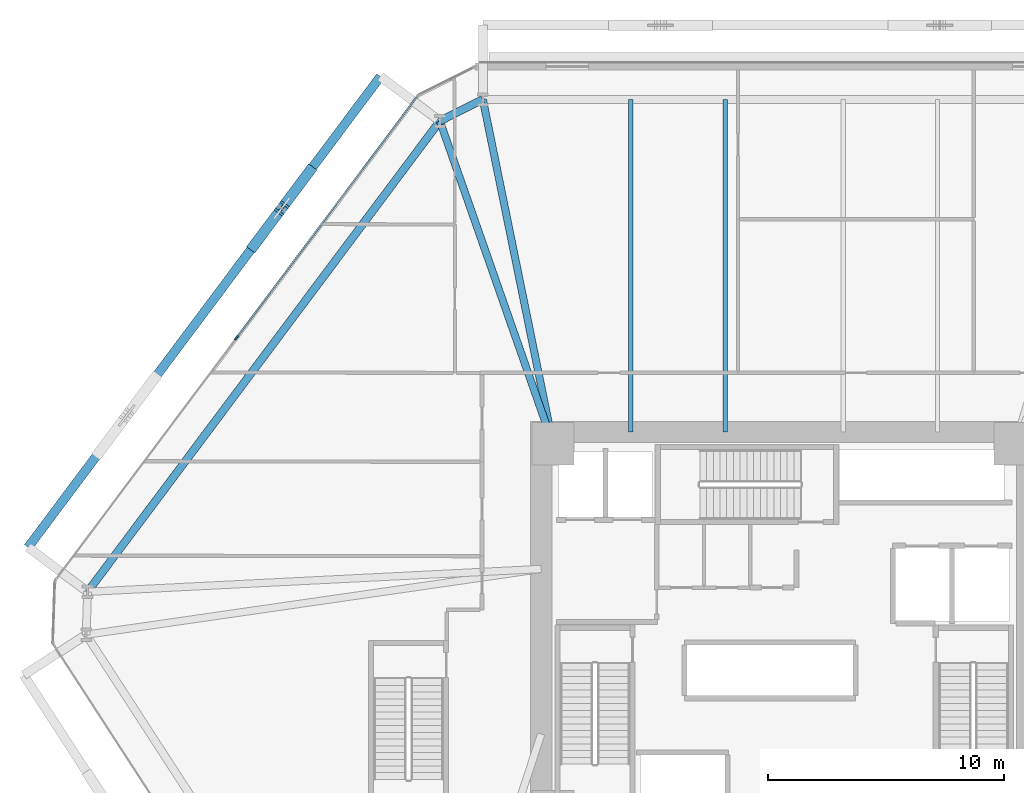
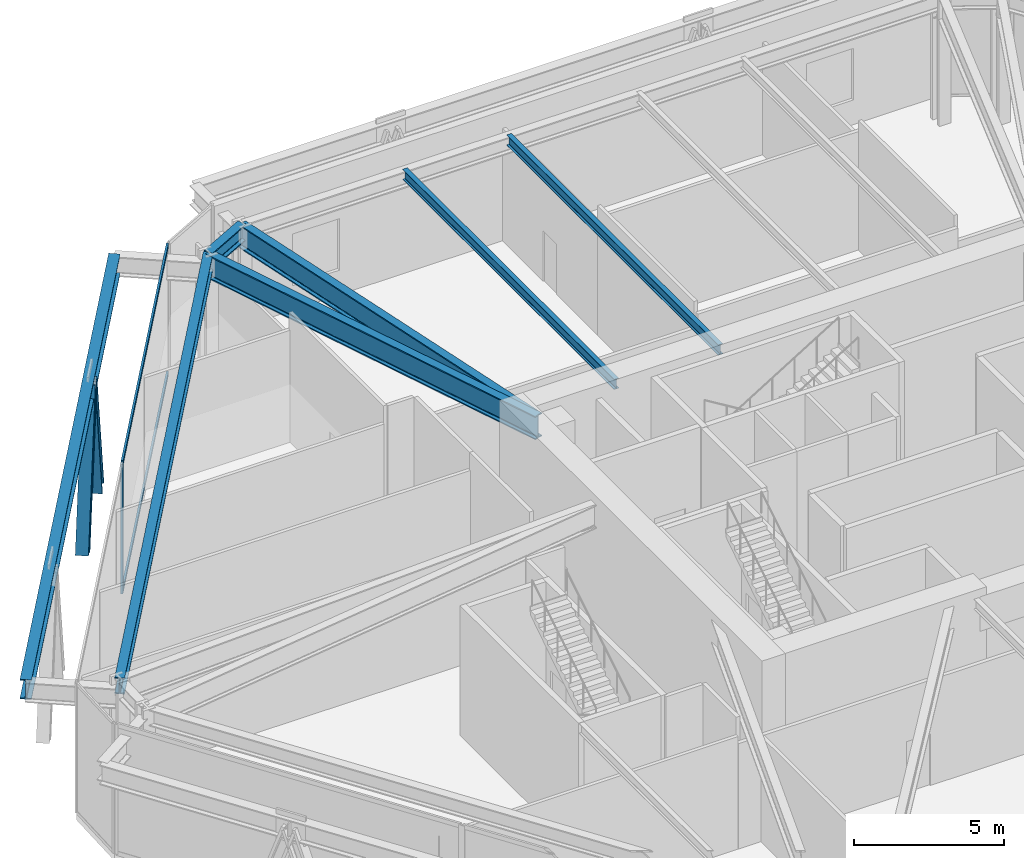
# One storey, part 8 of 23: 7 beams, 5 members, 1 element without a shape of its own.
"""IFC4 building model written with IfcOpenShell, lengths in metres."""

from ifc_helpers import new_model, si_unit, direction, frame, origin, origin_2d, place, context, subcontext, project, spatial, rectangle, i_section, extrude, source, transform, mapped, material, layer, layer_set, material_profile, profile_set, type_object, type_shapes, element, aggregate, save


model = new_model("IFC4")

# Units and contexts
model_context = context("Model", 3, precision=1e-05, world=origin(), true_north=direction((0.0, 1.0)))
body_context = subcontext(model_context, "Body", "Model", "MODEL_VIEW")
ifc_project = project(units=[si_unit("LENGTHUNIT", "METRE"), si_unit("AREAUNIT", "SQUARE_METRE"), si_unit("VOLUMEUNIT", "CUBIC_METRE"), si_unit("PLANEANGLEUNIT", "RADIAN"), si_unit("MASSUNIT", "GRAM", prefix="KILO")], contexts=[model_context])

# Site, building, storey
site_placement = place(None, origin())
site = spatial("IfcSite", under=ifc_project, at=site_placement, CompositionType="ELEMENT")
building_placement = place(site_placement, origin())
building = spatial("IfcBuilding", under=site, at=building_placement, Name="Durnholm Broadcast Tower", CompositionType="ELEMENT")
storey_placement = place(building_placement, frame((0.0, 0.0, 21.199951171875)))
storey = spatial("IfcBuildingStorey", under=building, at=storey_placement, Name="L04", CompositionType="ELEMENT", Elevation=21.199951171875)

# Beams
ifc_material_1 = material(Name="Steel ASTM A992 Grade 50", Category="steel")
ifc_material_profile_1 = material_profile(ifc_material_1, i_section(OverallWidth=0.3330078125, OverallDepth=0.660888671875, WebThickness=0.0244140625, FlangeThickness=0.0439453125, FilletRadius=0.02783203125, at=origin_2d()), Name="W24X229")
ifc_profile_set_1 = profile_set([ifc_material_profile_1], Name="Steel ASTM A992 Grade 50")
beam_type_1 = type_object("IfcBeamType", Name="STL-SP-W24X229", PredefinedType="SPANDREL", material=ifc_profile_set_1)
shared_shape_1 = source(origin(), body_context, "Body", "SweptSolid", [
    extrude(i_section(OverallWidth=0.3330078125, OverallDepth=0.660888671875, WebThickness=0.0244140625, FlangeThickness=0.0439453125, FilletRadius=0.02783203125, at=origin_2d()), origin(), (0.0, 0.0, 1.0), 24.926513671875),
])
beam_1_placement = place(storey_placement, frame((-29.529296875, 1.530517578125, 4.9345703125), z_axis=(0.599153427318, 0.800634230178, 0.0), x_axis=(-0.800634230178, 0.599153427318, 0.0)))
element("IfcBeam", 1, at=beam_1_placement, inside=storey, type_object=beam_type_1, Name="L04 perimeter spandrel girder 03", PredefinedType="SPANDREL", context=body_context, shape_type="MappedRepresentation", body=[
    mapped(shared_shape_1, transform((0.0, 0.0, 0.0), x_axis=(1.0, 0.0, 0.0), y_axis=(0.0, 1.0, 0.0), z_axis=(0.0, 0.0, 1.0), scale=1.0)),
])
shared_shape_2 = source(origin(), body_context, "Body", "SweptSolid", [
    extrude(i_section(OverallWidth=0.3330078125, OverallDepth=0.660888671875, WebThickness=0.0244140625, FlangeThickness=0.0439453125, FilletRadius=0.02783203125, at=origin_2d()), origin(), (0.0, 0.0, 1.0), 2.0380859375),
])
type_shapes(beam_type_1, [shared_shape_1, shared_shape_2])
beam_2_placement = place(storey_placement, frame((-14.594482421875, 21.487548828125, 4.9345703125), z_axis=(0.894211470078, 0.447644777452, 0.0), x_axis=(-0.447644777452, 0.894211470078, 0.0)))
element("IfcBeam", 2, at=beam_2_placement, inside=storey, type_object=beam_type_1, Name="L04 perimeter spandrel girder 04", PredefinedType="SPANDREL", context=body_context, shape_type="MappedRepresentation", body=[
    mapped(shared_shape_2, transform((0.0, 0.0, 0.0), x_axis=(1.0, 0.0, 0.0), y_axis=(0.0, 1.0, 0.0), z_axis=(0.0, 0.0, 1.0), scale=1.0)),
])
ifc_material_profile_2 = material_profile(ifc_material_1, i_section(OverallWidth=0.180908203125, OverallDepth=0.417236328125, WebThickness=0.010986328125, FlangeThickness=0.018310546875, FilletRadius=0.01904296875, at=origin_2d()), Name="W16X57")
ifc_profile_set_2 = profile_set([ifc_material_profile_2], Name="Steel ASTM A992 Grade 50")
beam_type_2 = type_object("IfcBeamType", Name="STL-BJ-W16X57", PredefinedType="JOIST", material=ifc_profile_set_2)
shared_shape_3 = source(origin(), body_context, "Body", "SweptSolid", [
    extrude(i_section(OverallWidth=0.180908203125, OverallDepth=0.417236328125, WebThickness=0.010986328125, FlangeThickness=0.018310546875, FilletRadius=0.01904296875, at=origin_2d()), origin(), (0.0, 0.0, 1.0), 14.099853515625),
])
type_shapes(beam_type_2, [shared_shape_3])
for number, where, z_axis, x_axis, name in (
    (3, (-6.5, 8.300048828125, 5.056396484375), (0.0, 1.0, 0.0), (-1.0, 0.0, 0.0), "L04 secondary floor joist 4.2"),
    (4, (-2.5, 8.300048828125, 5.056396484375), (0.0, 1.0, 0.0), (-1.0, 0.0, 0.0), "L04 secondary floor joist 5.2"),
):
    element("IfcBeam", number, at=place(storey_placement, frame(where, z_axis=z_axis, x_axis=x_axis)), inside=storey, type_object=beam_type_2, Name=name, PredefinedType="JOIST", context=body_context, shape_type="MappedRepresentation", body=[
        mapped(shared_shape_3, transform((0.0, 0.0, 0.0), x_axis=(1.0, 0.0, 0.0), y_axis=(0.0, 1.0, 0.0), z_axis=(0.0, 0.0, 1.0), scale=1.0)),
    ])
ifc_material_profile_3 = material_profile(ifc_material_1, i_section(OverallWidth=0.385009765625, OverallDepth=0.802978515625, WebThickness=0.023681640625, FlangeThickness=0.0419921875, FilletRadius=0.032958984375, at=origin_2d()), Name="W30X261")
ifc_profile_set_3 = profile_set([ifc_material_profile_3], Name="Steel ASTM A992 Grade 50")
beam_type_3 = type_object("IfcBeamType", Name="BM-EXO-TIE", PredefinedType="USERDEFINED", material=ifc_profile_set_3)
shared_shape_4 = source(origin(), body_context, "Body", "SweptSolid", [
    extrude(i_section(OverallWidth=0.385009765625, OverallDepth=0.802978515625, WebThickness=0.023681640625, FlangeThickness=0.0419921875, FilletRadius=0.032958984375, at=origin_2d()), origin(), (0.0, 0.0, 1.0), 24.9267578125),
])
type_shapes(beam_type_3, [shared_shape_4])
beam_3_placement = place(storey_placement, frame((-17.116455078125, 23.375, 4.528564453125), z_axis=(-0.599159705628, -0.800629531776, 0.0), x_axis=(0.800629531776, -0.599159705628, 0.0)))
element("IfcBeam", 5, at=beam_3_placement, inside=storey, type_object=beam_type_3, Name="L04 exoskeleton collector spandrel F5", PredefinedType="SPANDREL", context=body_context, shape_type="MappedRepresentation", body=[
    mapped(shared_shape_4, transform((0.0, 0.0, 0.0), x_axis=(1.0, 0.0, 0.0), y_axis=(0.0, 1.0, 0.0), z_axis=(0.0, 0.0, 1.0), scale=1.0)),
])
ifc_material_profile_4 = material_profile(ifc_material_1, i_section(OverallWidth=0.310302734375, OverallDepth=0.950439453125, WebThickness=0.0244140625, FlangeThickness=0.0439453125, FilletRadius=0.0380859375, at=origin_2d()), Name="W36X256")
ifc_profile_set_4 = profile_set([ifc_material_profile_4], Name="Steel ASTM A992 Grade 50")
beam_type_4 = type_object("IfcBeamType", Name="STL-GR-W36X256", PredefinedType="USERDEFINED", material=ifc_profile_set_4)
shared_shape_5 = source(origin(), body_context, "Body", "SweptSolid", [
    extrude(i_section(OverallWidth=0.310302734375, OverallDepth=0.950439453125, WebThickness=0.0244140625, FlangeThickness=0.0439453125, FilletRadius=0.0380859375, at=origin_2d()), origin(), (0.0, 0.0, 1.0), 14.5029296875),
])
beam_4_placement = place(storey_placement, frame((-9.800048828125, 7.800048828125, 4.789794921875), z_axis=(-0.330584364716, 0.943776444824, 0.0), x_axis=(-0.943776444824, -0.330584364716, 0.0)))
element("IfcBeam", 6, at=beam_4_placement, inside=storey, type_object=beam_type_4, Name="L04 radial primary floor girder 04", ObjectType="GIRDER", PredefinedType="USERDEFINED", context=body_context, shape_type="MappedRepresentation", body=[
    mapped(shared_shape_5, transform((0.0, 0.0, 0.0), x_axis=(1.0, 0.0, 0.0), y_axis=(0.0, 1.0, 0.0), z_axis=(0.0, 0.0, 1.0), scale=1.0)),
])
shared_shape_6 = source(origin(), body_context, "Body", "SweptSolid", [
    extrude(i_section(OverallWidth=0.310302734375, OverallDepth=0.950439453125, WebThickness=0.0244140625, FlangeThickness=0.0439453125, FilletRadius=0.0380859375, at=origin_2d()), origin(), (0.0, 0.0, 1.0), 14.899169921875),
])
type_shapes(beam_type_4, [shared_shape_5, shared_shape_6])
beam_5_placement = place(storey_placement, frame((-9.800048828125, 7.800048828125, 4.789794921875), z_axis=(-0.19946783416, 0.979904374485, 0.0), x_axis=(-0.979904374485, -0.19946783416, 0.0)))
element("IfcBeam", 7, at=beam_5_placement, inside=storey, type_object=beam_type_4, Name="L04 radial primary floor girder 05", ObjectType="GIRDER", PredefinedType="USERDEFINED", context=body_context, shape_type="MappedRepresentation", body=[
    mapped(shared_shape_6, transform((0.0, 0.0, 0.0), x_axis=(1.0, 0.0, 0.0), y_axis=(0.0, 1.0, 0.0), z_axis=(0.0, 0.0, 1.0), scale=1.0)),
])

# Members
ifc_material_2 = material(Name="Steel ASTM A913 Grade 65", Category="steel")
ifc_material_profile_5 = material_profile(ifc_material_2, i_section(OverallWidth=0.44189453125, OverallDepth=0.531494140625, WebThickness=0.06591796875, FlangeThickness=0.105712890625, FilletRadius=0.030517578125, at=origin_2d()), Name="W14X605")
ifc_profile_set_5 = profile_set([ifc_material_profile_5], Name="Steel ASTM A913 Grade 65")
member_type_1 = type_object("IfcMemberType", Name="STL-DG-W14X605", PredefinedType="BRACE", material=ifc_profile_set_5)
shared_shape_7 = source(origin(), body_context, "Body", "SweptSolid", [
    extrude(i_section(OverallWidth=0.44189453125, OverallDepth=0.531494140625, WebThickness=0.06591796875, FlangeThickness=0.105712890625, FilletRadius=0.030517578125, at=origin_2d()), origin(), (0.0, 0.0, 1.0), 5.927978515625),
])
type_shapes(member_type_1, [shared_shape_7])
for number, where, z_axis, x_axis, name in (
    (8, (-20.13330078125, 19.343505859375, -1.071533203125), (-0.196493091775, -0.262553649144, 0.944698918284), (0.800617464095, -0.599175830776, 0.0), "L04 stand-off diagrid brace F5.D1.1"),
    (9, (-22.463134765625, 16.23046875, -1.071533203125), (0.196530560798, 0.262589869163, 0.94468105691), (-0.800602308277, 0.599196081414, 0.0), "L04 stand-off diagrid brace F5.D1.2"),
):
    element("IfcMember", number, at=place(storey_placement, frame(where, z_axis=z_axis, x_axis=x_axis)), inside=storey, type_object=member_type_1, Name=name, PredefinedType="BRACE", context=body_context, shape_type="MappedRepresentation", body=[
        mapped(shared_shape_7, transform((0.0, 0.0, 0.0), x_axis=(1.0, 0.0, 0.0), y_axis=(0.0, 1.0, 0.0), z_axis=(0.0, 0.0, 1.0), scale=1.0)),
    ])

# Curtain wall, members
ifc_material_3 = material(Name="Aluminium and Solar Control IGU", Category="aluminium")
ifc_layer = layer(ifc_material_3, 0.219970703125)
ifc_layer_set = layer_set([ifc_layer], Name="Aluminium and Solar Control IGU")
curtain_wall_type = type_object("IfcCurtainWallType", Name="CW-SYS-2", PredefinedType="NOTDEFINED", material=ifc_layer_set)
curtain_wall_placement = place(storey_placement, origin())
curtain_wall = element("IfcCurtainWall", 10, at=curtain_wall_placement, inside=storey, type_object=curtain_wall_type, Name="L04 curtain wall CW-STUDIO CW-L04-F02", PredefinedType="NOTDEFINED")
ifc_material_4 = material(Name="Aluminium 6063-T6", Category="aluminium")
ifc_material_profile_6 = material_profile(ifc_material_4, rectangle(XDim=0.074951171875, YDim=0.179931640625, at=origin_2d()), Name="CWT75X180")
ifc_profile_set_6 = profile_set([ifc_material_profile_6], Name="Aluminium 6063-T6")
member_type_2 = type_object("IfcMemberType", Name="CW-SYS-2-TRN", PredefinedType="USERDEFINED", material=ifc_profile_set_6)
shared_shape_8 = source(origin(), body_context, "Body", "SweptSolid", [
    extrude(rectangle(XDim=0.074951171875, YDim=0.179931640625, at=origin_2d()), origin(), (0.0, 0.0, 1.0), 12.736328125),
])
type_shapes(member_type_2, [shared_shape_8])
member_1_placement = place(storey_placement, frame((-23.193115234375, 12.334228515625, 0.03759765625), z_axis=(0.59916237373, 0.800627535066, 0.0), x_axis=(-0.800627535066, 0.59916237373, 0.0)))
member_1 = element("IfcMember", 11, at=member_1_placement, type_object=member_type_2, Name="CW-STUDIO transom 2.1", ObjectType="TRANSOM", PredefinedType="USERDEFINED", context=body_context, shape_type="MappedRepresentation", body=[
    mapped(shared_shape_8, transform((0.0, 0.0, 0.0), x_axis=(1.0, 0.0, 0.0), y_axis=(0.0, 1.0, 0.0), z_axis=(0.0, 0.0, 1.0), scale=1.0)),
])
member_2_placement = place(storey_placement, frame((-23.193115234375, 12.334228515625, 5.242431640625), z_axis=(0.59916237373, 0.800627535066, 0.0), x_axis=(-0.800627535066, 0.59916237373, 0.0)))
member_2 = element("IfcMember", 12, at=member_2_placement, type_object=member_type_2, Name="CW-STUDIO transom 2.2", ObjectType="TRANSOM", PredefinedType="USERDEFINED", context=body_context, shape_type="MappedRepresentation", body=[
    mapped(shared_shape_8, transform((0.0, 0.0, 0.0), x_axis=(1.0, 0.0, 0.0), y_axis=(0.0, 1.0, 0.0), z_axis=(0.0, 0.0, 1.0), scale=1.0)),
])
ifc_material_profile_7 = material_profile(ifc_material_4, rectangle(XDim=0.074951171875, YDim=0.219970703125, at=origin_2d()), Name="CWM75X220")
ifc_profile_set_7 = profile_set([ifc_material_profile_7], Name="Aluminium 6063-T6")
member_type_3 = type_object("IfcMemberType", Name="CW-SYS-2-MUL", PredefinedType="MULLION", material=ifc_profile_set_7)
shared_shape_9 = source(origin(), body_context, "Body", "SweptSolid", [
    extrude(rectangle(XDim=0.074951171875, YDim=0.219970703125, at=origin_2d()), origin(), (0.0, 0.0, 1.0), 5.280029296875),
])
type_shapes(member_type_3, [shared_shape_9])
member_3_placement = place(storey_placement, frame((-23.215576171875, 12.30419921875, 0.0), z_axis=(0.0, 0.0, 1.0), x_axis=(-0.800631836327, 0.59915662615, 0.0)))
member_3 = element("IfcMember", 13, at=member_3_placement, type_object=member_type_3, Name="CW-STUDIO mullion 2", PredefinedType="MULLION", context=body_context, shape_type="MappedRepresentation", body=[
    mapped(shared_shape_9, transform((0.0, 0.0, 0.0), x_axis=(1.0, 0.0, 0.0), y_axis=(0.0, 1.0, 0.0), z_axis=(0.0, 0.0, 1.0), scale=1.0)),
])
aggregate(curtain_wall, [member_3, member_1, member_2])

save(model, "model.ifc")
